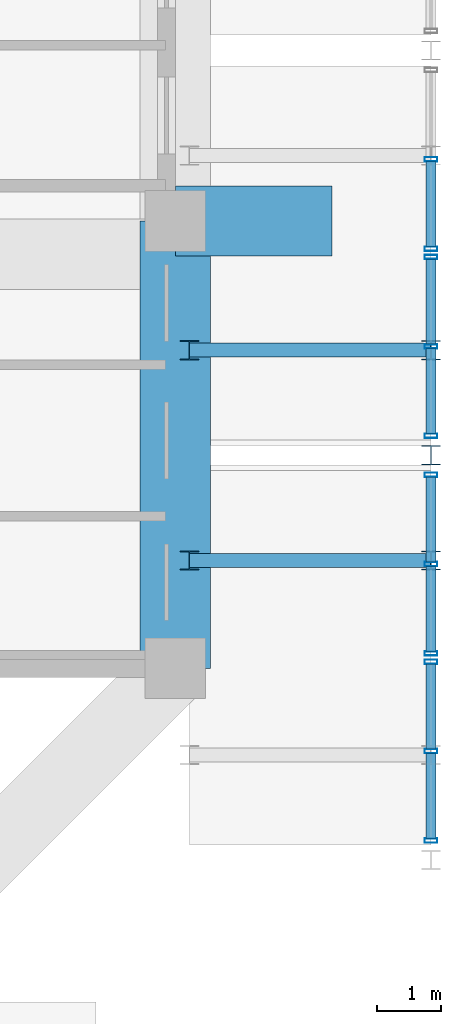
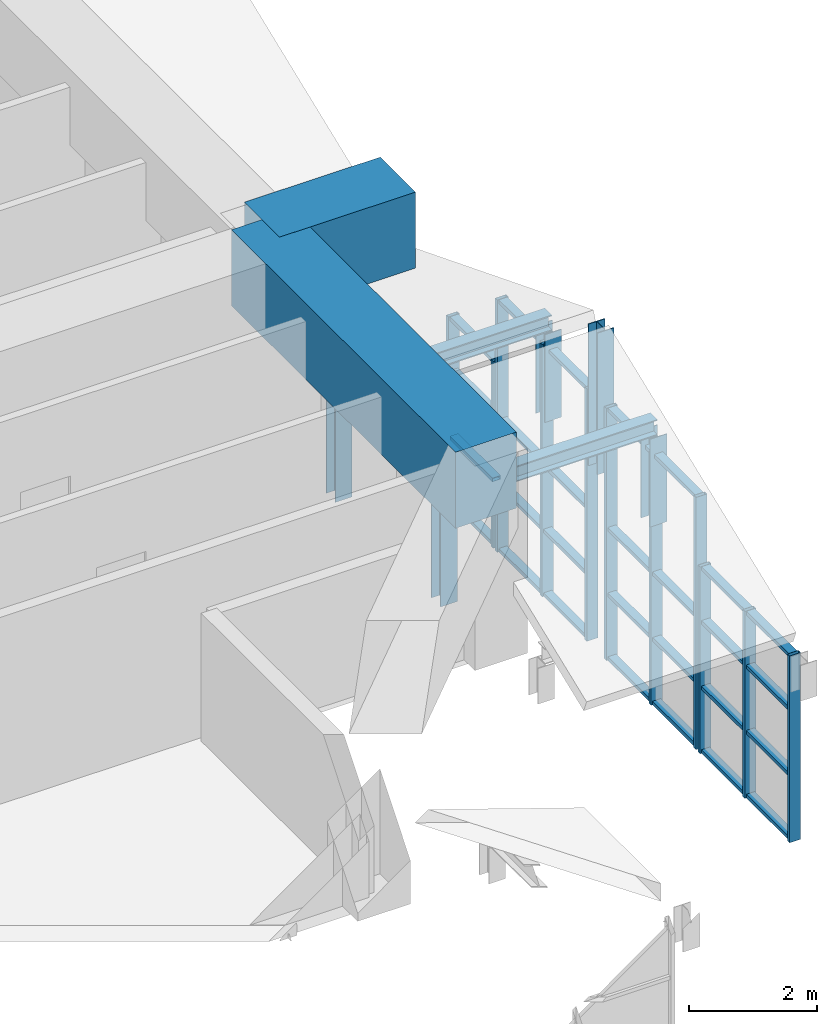
# One storey, part 14 of 45: 46 members, 2 beams, 4 elements without a shape of their own.
"""IFC4 building model written with IfcOpenShell, lengths in metres."""

from ifc_helpers import new_model, si_unit, direction, frame, origin, origin_2d, place, context, subcontext, project, spatial, rectangle, hollow_rectangle, i_section, extrude, source, transform, mapped, material, layer, layer_set, material_profile, profile_set, type_object, element, aggregate, save


model = new_model("IFC4")

# Units and contexts
model_context = context("Model", 3, precision=1e-05, world=origin(), true_north=direction((0.0, 1.0)))
body_context = subcontext(model_context, "Body", "Model", "MODEL_VIEW")
ifc_project = project(units=[si_unit("LENGTHUNIT", "METRE"), si_unit("AREAUNIT", "SQUARE_METRE"), si_unit("VOLUMEUNIT", "CUBIC_METRE"), si_unit("PLANEANGLEUNIT", "RADIAN"), si_unit("MASSUNIT", "GRAM", prefix="KILO")], contexts=[model_context])

# Site, building, storey
site_placement = place(None, origin())
site = spatial("IfcSite", under=ifc_project, at=site_placement, CompositionType="ELEMENT")
building_placement = place(site_placement, origin())
building = spatial("IfcBuilding", under=site, at=building_placement, Name="Saelheon Loggia Tower", CompositionType="ELEMENT")
storey_placement = place(building_placement, frame((0.0, 0.0, 152.199951171875)))
storey = spatial("IfcBuildingStorey", under=building, at=storey_placement, Name="L48", CompositionType="ELEMENT", Elevation=152.199951171875)

# Members
ifc_material_1 = material(Name="Steel SM355", Category="steel")
ifc_material_profile_1 = material_profile(ifc_material_1, i_section(OverallWidth=0.300048828125, OverallDepth=0.300048828125, WebThickness=0.010009765625, FlangeThickness=0.014892578125, at=origin_2d()), Name="H-300x300x10x15")
ifc_profile_set_1 = profile_set([ifc_material_profile_1], Name="Steel SM355")
member_type_1 = type_object("IfcMemberType", Name="WaveCrest_Post_H300", PredefinedType="POST", material=ifc_profile_set_1)
shared_shape_1 = source(origin(), body_context, "Body", "SweptSolid", [
    extrude(i_section(OverallWidth=0.300048828125, OverallDepth=0.300048828125, WebThickness=0.010009765625, FlangeThickness=0.014892578125, at=origin_2d()), origin(), (0.0, 0.0, 1.0), 2.699951171875),
])
member_1_placement = place(storey_placement, frame((64.0, 14.333251953125, 0.0), z_axis=(0.0, 0.0, 1.0), x_axis=(1.0, 0.0, 0.0)))
element("IfcMember", 1, at=member_1_placement, inside=storey, type_object=member_type_1, Name="Tier 1 Wave Crest Upper Post E 01", PredefinedType="POST", context=body_context, shape_type="MappedRepresentation", body=[
    mapped(shared_shape_1, transform((0.0, 0.0, 0.0), scale=1.0)),
])
ifc_material_profile_2 = material_profile(ifc_material_1, i_section(OverallWidth=0.219970703125, OverallDepth=0.300048828125, WebThickness=0.011962890625, FlangeThickness=0.02001953125, at=origin_2d()), Name="H-300x220x12x20")
ifc_profile_set_2 = profile_set([ifc_material_profile_2], Name="Steel SM355")
member_type_2 = type_object("IfcMemberType", Name="Roof_ShoulderPurlin_RHS300", PredefinedType="PURLIN", material=ifc_profile_set_2)
shared_shape_2 = source(origin(), body_context, "Body", "SweptSolid", [
    extrude(i_section(OverallWidth=0.219970703125, OverallDepth=0.300048828125, WebThickness=0.011962890625, FlangeThickness=0.02001953125, at=origin_2d()), origin(), (0.0, 0.0, 1.0), 3.780029296875),
])
for number, where, z_axis, x_axis, name in (
    (2, (64.0, 12.6884765625, 1.823486328125), (-1.0, 0.0, 0.0), (0.0, -1.0, 0.0), "Tier 1 Wave Crest Rafter E 01 B"),
    (3, (64.0, 15.97802734375, 1.823486328125), (-1.0, 0.0, 0.0), (0.0, -1.0, 0.0), "Tier 1 Wave Crest Rafter E 02 A"),
):
    element("IfcMember", number, at=place(storey_placement, frame(where, z_axis=z_axis, x_axis=x_axis)), inside=storey, type_object=member_type_2, Name=name, PredefinedType="PURLIN", context=body_context, shape_type="MappedRepresentation", body=[
        mapped(shared_shape_2, transform((0.0, 0.0, 0.0), scale=1.0)),
    ])
shared_shape_3 = source(origin(), body_context, "Body", "SweptSolid", [
    extrude(i_section(OverallWidth=0.300048828125, OverallDepth=0.300048828125, WebThickness=0.010009765625, FlangeThickness=0.014892578125, at=origin_2d()), origin(), (0.0, 0.0, 1.0), 1.673583984375),
])
for number, where, z_axis, x_axis, name in (
    (4, (64.0, 12.6884765625, 0.0), (0.0, 0.0, 1.0), (1.0, 0.0, 0.0), "Tier 1 Rafter Outer Upper Post E 01"),
    (5, (64.0, 15.97802734375, 0.0), (0.0, 0.0, 1.0), (1.0, 0.0, 0.0), "Tier 1 Rafter Outer Upper Post E 02"),
):
    element("IfcMember", number, at=place(storey_placement, frame(where, z_axis=z_axis, x_axis=x_axis)), inside=storey, type_object=member_type_1, Name=name, PredefinedType="POST", context=body_context, shape_type="MappedRepresentation", body=[
        mapped(shared_shape_3, transform((0.0, 0.0, 0.0), scale=1.0)),
    ])
ifc_material_profile_3 = material_profile(ifc_material_1, i_section(OverallWidth=0.300048828125, OverallDepth=0.300048828125, WebThickness=0.010009765625, FlangeThickness=0.014892578125, at=origin_2d()), Name="H-300x300x10x15")
ifc_profile_set_3 = profile_set([ifc_material_profile_3], Name="Steel SM355")
member_type_3 = type_object("IfcMemberType", Name="Belt_Post_H300", PredefinedType="POST", material=ifc_profile_set_3)
shared_shape_4 = source(origin(), body_context, "Body", "SweptSolid", [
    extrude(i_section(OverallWidth=0.300048828125, OverallDepth=0.300048828125, WebThickness=0.010009765625, FlangeThickness=0.014892578125, at=origin_2d()), origin(), (0.0, 0.0, 1.0), 1.87353515625),
])
for number, where, z_axis, x_axis, name in (
    (6, (60.219970703125, 12.6884765625, -0.199951171875), (0.0, 0.0, 1.0), (1.0, 0.0, 0.0), "Tier 1 Rafter Inner Post E 01"),
    (7, (60.219970703125, 15.97802734375, -0.199951171875), (0.0, 0.0, 1.0), (1.0, 0.0, 0.0), "Tier 1 Rafter Inner Post E 02"),
):
    element("IfcMember", number, at=place(storey_placement, frame(where, z_axis=z_axis, x_axis=x_axis)), inside=storey, type_object=member_type_3, Name=name, PredefinedType="POST", context=body_context, shape_type="MappedRepresentation", body=[
        mapped(shared_shape_4, transform((0.0, 0.0, 0.0), scale=1.0)),
    ])

# Beams
ifc_material_2 = material(Name="Concrete C50/60", Category="concrete")
ifc_material_profile_4 = material_profile(ifc_material_2, rectangle(XDim=1.10009765625, YDim=1.449951171875, at=origin_2d()), Name="RC-1100x1450")
ifc_profile_set_4 = profile_set([ifc_material_profile_4], Name="Concrete C50/60")
beam_type = type_object("IfcBeamType", Name="Beam_PerimTransfer_RC1100x1450", PredefinedType="BEAM", material=ifc_profile_set_4)
shared_shape_5 = source(origin(), body_context, "Body", "SweptSolid", [
    extrude(rectangle(XDim=1.10009765625, YDim=1.449951171875, at=origin_2d()), origin(), (0.0, 0.0, 1.0), 7.0),
])
beam_1_placement = place(storey_placement, frame((60.0, 11.0, 3.175048828125), z_axis=(0.0, 1.0, 0.0), x_axis=(-1.0, 0.0, 0.0)))
element("IfcBeam", 8, at=beam_1_placement, inside=storey, type_object=beam_type, Name="L48 Perimeter Frame Girder 05", PredefinedType="BEAM", context=body_context, shape_type="MappedRepresentation", body=[
    mapped(shared_shape_5, transform((0.0, 0.0, 0.0), scale=1.0)),
])
shared_shape_6 = source(origin(), body_context, "Body", "SweptSolid", [
    extrude(rectangle(XDim=1.10009765625, YDim=1.449951171875, at=origin_2d()), origin(), (0.0, 0.0, 1.0), 2.449951171875),
])
beam_2_placement = place(storey_placement, frame((60.0, 18.0, 3.175048828125), z_axis=(1.0, 0.0, 0.0), x_axis=(0.0, 1.0, 0.0)))
element("IfcBeam", 9, at=beam_2_placement, inside=storey, type_object=beam_type, Name="L48 Loggia Transfer Tie Beam LP-E1", PredefinedType="BEAM", context=body_context, shape_type="MappedRepresentation", body=[
    mapped(shared_shape_6, transform((0.0, 0.0, 0.0), scale=1.0)),
])

# Curtain wall, members
ifc_material_3 = material(Name="Bronze-Anodised Aluminium and Fritted Ceramic Screen", Category="aluminium")
ifc_layer = layer(ifc_material_3, 0.219970703125)
ifc_layer_set = layer_set([ifc_layer], Name="Bronze-Anodised Aluminium and Fritted Ceramic Screen")
curtain_wall_type = type_object("IfcCurtainWallType", Name="CW_CrownScreen", PredefinedType="NOTDEFINED", material=ifc_layer_set)
curtain_wall_1_placement = place(storey_placement, origin())
curtain_wall_1 = element("IfcCurtainWall", 10, at=curtain_wall_1_placement, inside=storey, type_object=curtain_wall_type, Name="Tier 1 Wave Crest Glazing E 01-1", PredefinedType="NOTDEFINED")
ifc_material_4 = material(Name="Bronze-Anodised Aluminium 6063-T6", Category="aluminium")
ifc_material_profile_5 = material_profile(ifc_material_4, hollow_rectangle(XDim=0.070068359375, YDim=0.199951171875, WallThickness=0.0048828125, at=origin_2d()), Name="RHS-200x70x5")
ifc_profile_set_5 = profile_set([ifc_material_profile_5], Name="Bronze-Anodised Aluminium 6063-T6")
member_type_4 = type_object("IfcMemberType", Name="CW_CrownScreen_Mullion", PredefinedType="MULLION", material=ifc_profile_set_5)
shared_shape_7 = source(origin(), body_context, "Body", "SweptSolid", [
    extrude(hollow_rectangle(XDim=0.070068359375, YDim=0.199951171875, WallThickness=0.0048828125, at=origin_2d()), origin(), (0.0, 0.0, 1.0), 3.56005859375),
])
member_2_placement = place(storey_placement, frame((64.0, 8.304931640625, -3.449951171875), z_axis=(0.0, 0.0, 1.0), x_axis=(0.0, 1.0, 0.0)))
member_2 = element("IfcMember", 11, at=member_2_placement, type_object=member_type_4, Name="CW6 mullion 1", PredefinedType="MULLION", context=body_context, shape_type="MappedRepresentation", body=[
    mapped(shared_shape_7, transform((0.0, 0.0, 0.0), scale=1.0)),
])
member_3_placement = place(storey_placement, frame((64.0, 9.703369140625, -3.449951171875), z_axis=(0.0, 0.0, 1.0), x_axis=(0.0, 1.0, 0.0)))
member_3 = element("IfcMember", 12, at=member_3_placement, type_object=member_type_4, Name="CW6 mullion 2", PredefinedType="MULLION", context=body_context, shape_type="MappedRepresentation", body=[
    mapped(shared_shape_7, transform((0.0, 0.0, 0.0), scale=1.0)),
])
member_4_placement = place(storey_placement, frame((64.0, 11.101806640625, -3.449951171875), z_axis=(0.0, 0.0, 1.0), x_axis=(0.0, 1.0, 0.0)))
member_4 = element("IfcMember", 13, at=member_4_placement, type_object=member_type_4, Name="CW6 mullion 3", PredefinedType="MULLION", context=body_context, shape_type="MappedRepresentation", body=[
    mapped(shared_shape_7, transform((0.0, 0.0, 0.0), scale=1.0)),
])

curtain_wall_2_placement = place(storey_placement, origin())
curtain_wall_2 = element("IfcCurtainWall", 14, at=curtain_wall_2_placement, inside=storey, type_object=curtain_wall_type, Name="Tier 1 Wave Crest Glazing E 02-2", PredefinedType="NOTDEFINED")
member_5_placement = place(storey_placement, frame((64.0, 17.56494140625, -3.449951171875), z_axis=(0.0, 0.0, 1.0), x_axis=(0.0, 1.0, 0.0)))
member_5 = element("IfcMember", 15, at=member_5_placement, type_object=member_type_4, Name="CW6 mullion 1", PredefinedType="MULLION", context=body_context, shape_type="MappedRepresentation", body=[
    mapped(shared_shape_7, transform((0.0, 0.0, 0.0), scale=1.0)),
])
member_6_placement = place(storey_placement, frame((64.0, 18.96337890625, -3.449951171875), z_axis=(0.0, 0.0, 1.0), x_axis=(0.0, 1.0, 0.0)))
member_6 = element("IfcMember", 16, at=member_6_placement, type_object=member_type_4, Name="CW6 mullion 2", PredefinedType="MULLION", context=body_context, shape_type="MappedRepresentation", body=[
    mapped(shared_shape_7, transform((0.0, 0.0, 0.0), scale=1.0)),
])

# Member
ifc_material_profile_6 = material_profile(ifc_material_4, hollow_rectangle(XDim=0.070068359375, YDim=0.14990234375, WallThickness=0.0048828125, at=origin_2d()), Name="RHS-150x70x5")
ifc_profile_set_6 = profile_set([ifc_material_profile_6], Name="Bronze-Anodised Aluminium 6063-T6")
member_type_5 = type_object("IfcMemberType", Name="CW_CrownScreen_Transom", PredefinedType="USERDEFINED", material=ifc_profile_set_6)
shared_shape_8 = source(origin(), body_context, "Body", "SweptSolid", [
    extrude(hollow_rectangle(XDim=0.070068359375, YDim=0.14990234375, WallThickness=0.0048828125, at=origin_2d()), origin(), (0.0, 0.0, 1.0), 1.328369140625),
])
member_7_placement = place(storey_placement, frame((64.0, 8.340087890625, -3.4150390625), z_axis=(0.0, 1.0, 0.0), x_axis=(0.0, 0.0, 1.0)))
member_7 = element("IfcMember", 17, at=member_7_placement, type_object=member_type_5, Name="CW6 transom 1.1", ObjectType="TRANSOM", PredefinedType="USERDEFINED", context=body_context, shape_type="MappedRepresentation", body=[
    mapped(shared_shape_8, transform((0.0, 0.0, 0.0), scale=1.0)),
])

member_8_placement = place(storey_placement, frame((64.0, 8.340087890625, -2.199951171875), z_axis=(0.0, 1.0, 0.0), x_axis=(0.0, 0.0, 1.0)))
member_8 = element("IfcMember", 18, at=member_8_placement, type_object=member_type_5, Name="CW6 transom 1.2", ObjectType="TRANSOM", PredefinedType="USERDEFINED", context=body_context, shape_type="MappedRepresentation", body=[
    mapped(shared_shape_8, transform((0.0, 0.0, 0.0), scale=1.0)),
])

member_9_placement = place(storey_placement, frame((64.0, 8.340087890625, -0.949951171875), z_axis=(0.0, 1.0, 0.0), x_axis=(0.0, 0.0, 1.0)))
member_9 = element("IfcMember", 19, at=member_9_placement, type_object=member_type_5, Name="CW6 transom 1.3", ObjectType="TRANSOM", PredefinedType="USERDEFINED", context=body_context, shape_type="MappedRepresentation", body=[
    mapped(shared_shape_8, transform((0.0, 0.0, 0.0), scale=1.0)),
])

member_10_placement = place(storey_placement, frame((64.0, 8.340087890625, 0.074951171875), z_axis=(0.0, 1.0, 0.0), x_axis=(0.0, 0.0, 1.0)))
member_10 = element("IfcMember", 20, at=member_10_placement, type_object=member_type_5, Name="CW6 transom 1.4", ObjectType="TRANSOM", PredefinedType="USERDEFINED", context=body_context, shape_type="MappedRepresentation", body=[
    mapped(shared_shape_8, transform((0.0, 0.0, 0.0), scale=1.0)),
])

member_11_placement = place(storey_placement, frame((64.0, 9.73828125, -3.4150390625), z_axis=(0.0, 1.0, 0.0), x_axis=(0.0, 0.0, 1.0)))
member_11 = element("IfcMember", 21, at=member_11_placement, type_object=member_type_5, Name="CW6 transom 2.1", ObjectType="TRANSOM", PredefinedType="USERDEFINED", context=body_context, shape_type="MappedRepresentation", body=[
    mapped(shared_shape_8, transform((0.0, 0.0, 0.0), scale=1.0)),
])

member_12_placement = place(storey_placement, frame((64.0, 9.73828125, -2.199951171875), z_axis=(0.0, 1.0, 0.0), x_axis=(0.0, 0.0, 1.0)))
member_12 = element("IfcMember", 22, at=member_12_placement, type_object=member_type_5, Name="CW6 transom 2.2", ObjectType="TRANSOM", PredefinedType="USERDEFINED", context=body_context, shape_type="MappedRepresentation", body=[
    mapped(shared_shape_8, transform((0.0, 0.0, 0.0), scale=1.0)),
])

member_13_placement = place(storey_placement, frame((64.0, 9.73828125, -0.949951171875), z_axis=(0.0, 1.0, 0.0), x_axis=(0.0, 0.0, 1.0)))
member_13 = element("IfcMember", 23, at=member_13_placement, type_object=member_type_5, Name="CW6 transom 2.3", ObjectType="TRANSOM", PredefinedType="USERDEFINED", context=body_context, shape_type="MappedRepresentation", body=[
    mapped(shared_shape_8, transform((0.0, 0.0, 0.0), scale=1.0)),
])

member_14_placement = place(storey_placement, frame((64.0, 9.73828125, 0.074951171875), z_axis=(0.0, 1.0, 0.0), x_axis=(0.0, 0.0, 1.0)))
member_14 = element("IfcMember", 24, at=member_14_placement, type_object=member_type_5, Name="CW6 transom 2.4", ObjectType="TRANSOM", PredefinedType="USERDEFINED", context=body_context, shape_type="MappedRepresentation", body=[
    mapped(shared_shape_8, transform((0.0, 0.0, 0.0), scale=1.0)),
])

aggregate(curtain_wall_1, [member_2, member_3, member_4, member_7, member_8, member_9, member_10, member_11, member_12, member_13, member_14])

# Curtain wall, members
curtain_wall_3_placement = place(storey_placement, origin())
curtain_wall_3 = element("IfcCurtainWall", 25, at=curtain_wall_3_placement, inside=storey, type_object=curtain_wall_type, Name="Tier 1 Wave Crest Glazing E 01-2", PredefinedType="NOTDEFINED")
member_15_placement = place(storey_placement, frame((64.0, 11.2666015625, -3.4150390625), z_axis=(0.0, 1.0, 0.0), x_axis=(0.0, 0.0, 1.0)))
member_15 = element("IfcMember", 26, at=member_15_placement, type_object=member_type_5, Name="CW6 transom 1.1", ObjectType="TRANSOM", PredefinedType="USERDEFINED", context=body_context, shape_type="MappedRepresentation", body=[
    mapped(shared_shape_8, transform((0.0, 0.0, 0.0), scale=1.0)),
])
member_16_placement = place(storey_placement, frame((64.0, 11.2666015625, -2.199951171875), z_axis=(0.0, 1.0, 0.0), x_axis=(0.0, 0.0, 1.0)))
member_16 = element("IfcMember", 27, at=member_16_placement, type_object=member_type_5, Name="CW6 transom 1.2", ObjectType="TRANSOM", PredefinedType="USERDEFINED", context=body_context, shape_type="MappedRepresentation", body=[
    mapped(shared_shape_8, transform((0.0, 0.0, 0.0), scale=1.0)),
])
member_17_placement = place(storey_placement, frame((64.0, 11.2666015625, -0.949951171875), z_axis=(0.0, 1.0, 0.0), x_axis=(0.0, 0.0, 1.0)))
member_17 = element("IfcMember", 28, at=member_17_placement, type_object=member_type_5, Name="CW6 transom 1.3", ObjectType="TRANSOM", PredefinedType="USERDEFINED", context=body_context, shape_type="MappedRepresentation", body=[
    mapped(shared_shape_8, transform((0.0, 0.0, 0.0), scale=1.0)),
])
member_18_placement = place(storey_placement, frame((64.0, 11.2666015625, 1.324951171875), z_axis=(0.0, 1.0, 0.0), x_axis=(0.0, 0.0, 1.0)))
member_18 = element("IfcMember", 29, at=member_18_placement, type_object=member_type_5, Name="CW6 transom 1.4", ObjectType="TRANSOM", PredefinedType="USERDEFINED", context=body_context, shape_type="MappedRepresentation", body=[
    mapped(shared_shape_8, transform((0.0, 0.0, 0.0), scale=1.0)),
])
member_19_placement = place(storey_placement, frame((64.0, 12.6650390625, -3.4150390625), z_axis=(0.0, 1.0, 0.0), x_axis=(0.0, 0.0, 1.0)))
member_19 = element("IfcMember", 30, at=member_19_placement, type_object=member_type_5, Name="CW6 transom 2.1", ObjectType="TRANSOM", PredefinedType="USERDEFINED", context=body_context, shape_type="MappedRepresentation", body=[
    mapped(shared_shape_8, transform((0.0, 0.0, 0.0), scale=1.0)),
])
member_20_placement = place(storey_placement, frame((64.0, 12.6650390625, -2.199951171875), z_axis=(0.0, 1.0, 0.0), x_axis=(0.0, 0.0, 1.0)))
member_20 = element("IfcMember", 31, at=member_20_placement, type_object=member_type_5, Name="CW6 transom 2.2", ObjectType="TRANSOM", PredefinedType="USERDEFINED", context=body_context, shape_type="MappedRepresentation", body=[
    mapped(shared_shape_8, transform((0.0, 0.0, 0.0), scale=1.0)),
])
member_21_placement = place(storey_placement, frame((64.0, 12.6650390625, -0.949951171875), z_axis=(0.0, 1.0, 0.0), x_axis=(0.0, 0.0, 1.0)))
member_21 = element("IfcMember", 32, at=member_21_placement, type_object=member_type_5, Name="CW6 transom 2.3", ObjectType="TRANSOM", PredefinedType="USERDEFINED", context=body_context, shape_type="MappedRepresentation", body=[
    mapped(shared_shape_8, transform((0.0, 0.0, 0.0), scale=1.0)),
])
member_22_placement = place(storey_placement, frame((64.0, 12.6650390625, 1.324951171875), z_axis=(0.0, 1.0, 0.0), x_axis=(0.0, 0.0, 1.0)))
member_22 = element("IfcMember", 33, at=member_22_placement, type_object=member_type_5, Name="CW6 transom 2.4", ObjectType="TRANSOM", PredefinedType="USERDEFINED", context=body_context, shape_type="MappedRepresentation", body=[
    mapped(shared_shape_8, transform((0.0, 0.0, 0.0), scale=1.0)),
])

curtain_wall_4_placement = place(storey_placement, origin())
curtain_wall_4 = element("IfcCurtainWall", 34, at=curtain_wall_4_placement, inside=storey, type_object=curtain_wall_type, Name="Tier 1 Wave Crest Glazing E 02-1", PredefinedType="NOTDEFINED")
member_23_placement = place(storey_placement, frame((64.0, 14.67333984375, -3.4150390625), z_axis=(0.0, 1.0, 0.0), x_axis=(0.0, 0.0, 1.0)))
member_23 = element("IfcMember", 35, at=member_23_placement, type_object=member_type_5, Name="CW6 transom 1.1", ObjectType="TRANSOM", PredefinedType="USERDEFINED", context=body_context, shape_type="MappedRepresentation", body=[
    mapped(shared_shape_8, transform((0.0, 0.0, 0.0), scale=1.0)),
])
member_24_placement = place(storey_placement, frame((64.0, 14.67333984375, -2.199951171875), z_axis=(0.0, 1.0, 0.0), x_axis=(0.0, 0.0, 1.0)))
member_24 = element("IfcMember", 36, at=member_24_placement, type_object=member_type_5, Name="CW6 transom 1.2", ObjectType="TRANSOM", PredefinedType="USERDEFINED", context=body_context, shape_type="MappedRepresentation", body=[
    mapped(shared_shape_8, transform((0.0, 0.0, 0.0), scale=1.0)),
])
member_25_placement = place(storey_placement, frame((64.0, 14.67333984375, -0.949951171875), z_axis=(0.0, 1.0, 0.0), x_axis=(0.0, 0.0, 1.0)))
member_25 = element("IfcMember", 37, at=member_25_placement, type_object=member_type_5, Name="CW6 transom 1.3", ObjectType="TRANSOM", PredefinedType="USERDEFINED", context=body_context, shape_type="MappedRepresentation", body=[
    mapped(shared_shape_8, transform((0.0, 0.0, 0.0), scale=1.0)),
])
member_26_placement = place(storey_placement, frame((64.0, 14.67333984375, 1.324951171875), z_axis=(0.0, 1.0, 0.0), x_axis=(0.0, 0.0, 1.0)))
member_26 = element("IfcMember", 38, at=member_26_placement, type_object=member_type_5, Name="CW6 transom 1.4", ObjectType="TRANSOM", PredefinedType="USERDEFINED", context=body_context, shape_type="MappedRepresentation", body=[
    mapped(shared_shape_8, transform((0.0, 0.0, 0.0), scale=1.0)),
])
member_27_placement = place(storey_placement, frame((64.0, 16.071533203125, -3.4150390625), z_axis=(0.0, 1.0, 0.0), x_axis=(0.0, 0.0, 1.0)))
member_27 = element("IfcMember", 39, at=member_27_placement, type_object=member_type_5, Name="CW6 transom 2.1", ObjectType="TRANSOM", PredefinedType="USERDEFINED", context=body_context, shape_type="MappedRepresentation", body=[
    mapped(shared_shape_8, transform((0.0, 0.0, 0.0), scale=1.0)),
])
member_28_placement = place(storey_placement, frame((64.0, 16.071533203125, -2.199951171875), z_axis=(0.0, 1.0, 0.0), x_axis=(0.0, 0.0, 1.0)))
member_28 = element("IfcMember", 40, at=member_28_placement, type_object=member_type_5, Name="CW6 transom 2.2", ObjectType="TRANSOM", PredefinedType="USERDEFINED", context=body_context, shape_type="MappedRepresentation", body=[
    mapped(shared_shape_8, transform((0.0, 0.0, 0.0), scale=1.0)),
])
member_29_placement = place(storey_placement, frame((64.0, 16.071533203125, -0.949951171875), z_axis=(0.0, 1.0, 0.0), x_axis=(0.0, 0.0, 1.0)))
member_29 = element("IfcMember", 41, at=member_29_placement, type_object=member_type_5, Name="CW6 transom 2.3", ObjectType="TRANSOM", PredefinedType="USERDEFINED", context=body_context, shape_type="MappedRepresentation", body=[
    mapped(shared_shape_8, transform((0.0, 0.0, 0.0), scale=1.0)),
])
member_30_placement = place(storey_placement, frame((64.0, 16.071533203125, 1.324951171875), z_axis=(0.0, 1.0, 0.0), x_axis=(0.0, 0.0, 1.0)))
member_30 = element("IfcMember", 42, at=member_30_placement, type_object=member_type_5, Name="CW6 transom 2.4", ObjectType="TRANSOM", PredefinedType="USERDEFINED", context=body_context, shape_type="MappedRepresentation", body=[
    mapped(shared_shape_8, transform((0.0, 0.0, 0.0), scale=1.0)),
])

# Member
member_31_placement = place(storey_placement, frame((64.0, 17.60009765625, -3.4150390625), z_axis=(0.0, 1.0, 0.0), x_axis=(0.0, 0.0, 1.0)))
member_31 = element("IfcMember", 43, at=member_31_placement, type_object=member_type_5, Name="CW6 transom 1.1", ObjectType="TRANSOM", PredefinedType="USERDEFINED", context=body_context, shape_type="MappedRepresentation", body=[
    mapped(shared_shape_8, transform((0.0, 0.0, 0.0), scale=1.0)),
])

member_32_placement = place(storey_placement, frame((64.0, 17.60009765625, -2.199951171875), z_axis=(0.0, 1.0, 0.0), x_axis=(0.0, 0.0, 1.0)))
member_32 = element("IfcMember", 44, at=member_32_placement, type_object=member_type_5, Name="CW6 transom 1.2", ObjectType="TRANSOM", PredefinedType="USERDEFINED", context=body_context, shape_type="MappedRepresentation", body=[
    mapped(shared_shape_8, transform((0.0, 0.0, 0.0), scale=1.0)),
])

member_33_placement = place(storey_placement, frame((64.0, 17.60009765625, -0.949951171875), z_axis=(0.0, 1.0, 0.0), x_axis=(0.0, 0.0, 1.0)))
member_33 = element("IfcMember", 45, at=member_33_placement, type_object=member_type_5, Name="CW6 transom 1.3", ObjectType="TRANSOM", PredefinedType="USERDEFINED", context=body_context, shape_type="MappedRepresentation", body=[
    mapped(shared_shape_8, transform((0.0, 0.0, 0.0), scale=1.0)),
])

member_34_placement = place(storey_placement, frame((64.0, 17.60009765625, 0.074951171875), z_axis=(0.0, 1.0, 0.0), x_axis=(0.0, 0.0, 1.0)))
member_34 = element("IfcMember", 46, at=member_34_placement, type_object=member_type_5, Name="CW6 transom 1.4", ObjectType="TRANSOM", PredefinedType="USERDEFINED", context=body_context, shape_type="MappedRepresentation", body=[
    mapped(shared_shape_8, transform((0.0, 0.0, 0.0), scale=1.0)),
])

aggregate(curtain_wall_2, [member_5, member_6, member_31, member_32, member_33, member_34])

shared_shape_9 = source(origin(), body_context, "Body", "SweptSolid", [
    extrude(hollow_rectangle(XDim=0.070068359375, YDim=0.199951171875, WallThickness=0.0048828125, at=origin_2d()), origin(), (0.0, 0.0, 1.0), 4.81005859375),
])
member_35_placement = place(storey_placement, frame((64.0, 11.231689453125, -3.449951171875), z_axis=(0.0, 0.0, 1.0), x_axis=(0.0, 1.0, 0.0)))
member_35 = element("IfcMember", 47, at=member_35_placement, type_object=member_type_4, Name="CW6 mullion 1", PredefinedType="MULLION", context=body_context, shape_type="MappedRepresentation", body=[
    mapped(shared_shape_9, transform((0.0, 0.0, 0.0), scale=1.0)),
])

member_36_placement = place(storey_placement, frame((64.0, 12.6298828125, -3.449951171875), z_axis=(0.0, 0.0, 1.0), x_axis=(0.0, 1.0, 0.0)))
member_36 = element("IfcMember", 48, at=member_36_placement, type_object=member_type_4, Name="CW6 mullion 2", PredefinedType="MULLION", context=body_context, shape_type="MappedRepresentation", body=[
    mapped(shared_shape_9, transform((0.0, 0.0, 0.0), scale=1.0)),
])

member_37_placement = place(storey_placement, frame((64.0, 14.0283203125, -3.449951171875), z_axis=(0.0, 0.0, 1.0), x_axis=(0.0, 1.0, 0.0)))
member_37 = element("IfcMember", 49, at=member_37_placement, type_object=member_type_4, Name="CW6 mullion 3", PredefinedType="MULLION", context=body_context, shape_type="MappedRepresentation", body=[
    mapped(shared_shape_9, transform((0.0, 0.0, 0.0), scale=1.0)),
])

aggregate(curtain_wall_3, [member_35, member_36, member_37, member_15, member_16, member_17, member_18, member_19, member_20, member_21, member_22])

member_38_placement = place(storey_placement, frame((64.0, 14.63818359375, -3.449951171875), z_axis=(0.0, 0.0, 1.0), x_axis=(0.0, 1.0, 0.0)))
member_38 = element("IfcMember", 50, at=member_38_placement, type_object=member_type_4, Name="CW6 mullion 1", PredefinedType="MULLION", context=body_context, shape_type="MappedRepresentation", body=[
    mapped(shared_shape_9, transform((0.0, 0.0, 0.0), scale=1.0)),
])

member_39_placement = place(storey_placement, frame((64.0, 16.03662109375, -3.449951171875), z_axis=(0.0, 0.0, 1.0), x_axis=(0.0, 1.0, 0.0)))
member_39 = element("IfcMember", 51, at=member_39_placement, type_object=member_type_4, Name="CW6 mullion 2", PredefinedType="MULLION", context=body_context, shape_type="MappedRepresentation", body=[
    mapped(shared_shape_9, transform((0.0, 0.0, 0.0), scale=1.0)),
])

member_40_placement = place(storey_placement, frame((64.0, 17.43505859375, -3.449951171875), z_axis=(0.0, 0.0, 1.0), x_axis=(0.0, 1.0, 0.0)))
member_40 = element("IfcMember", 52, at=member_40_placement, type_object=member_type_4, Name="CW6 mullion 3", PredefinedType="MULLION", context=body_context, shape_type="MappedRepresentation", body=[
    mapped(shared_shape_9, transform((0.0, 0.0, 0.0), scale=1.0)),
])

aggregate(curtain_wall_4, [member_38, member_39, member_40, member_23, member_24, member_25, member_26, member_27, member_28, member_29, member_30])

save(model, "model.ifc")
